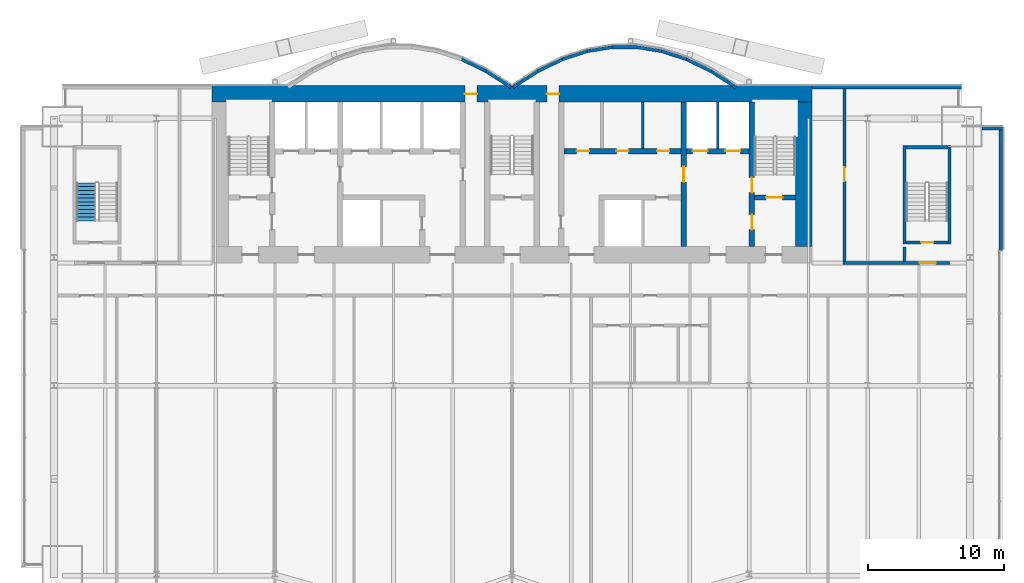
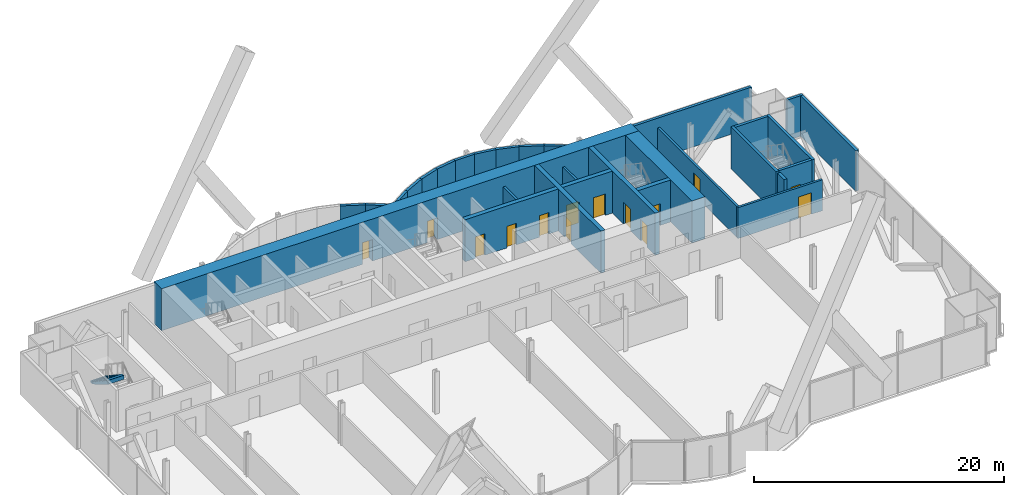
# One storey, part 18 of 22: 29 walls, 14 doors, 1 stair flight, 14 openings, 1 element without a shape of its own.
"""IFC4 building model written with IfcOpenShell, lengths in metres."""

from ifc_helpers import new_model, si_unit, direction, frame, frame_2d, origin, place, context, subcontext, project, spatial, polyline, rectangle, outline, extrude, material, layer, layer_set, layer_usage, type_object, element, fill, aggregate, save


model = new_model("IFC4")

# Units and contexts
model_context = context("Model", 3, precision=1e-05, world=origin(), true_north=direction((0.0, 1.0)))
body_context = subcontext(model_context, "Body", "Model", "MODEL_VIEW")
ifc_project = project(units=[si_unit("LENGTHUNIT", "METRE"), si_unit("AREAUNIT", "SQUARE_METRE"), si_unit("VOLUMEUNIT", "CUBIC_METRE"), si_unit("PLANEANGLEUNIT", "RADIAN"), si_unit("MASSUNIT", "GRAM", prefix="KILO")], contexts=[model_context])

# Site, building, storey
site_placement = place(None, origin())
site = spatial("IfcSite", under=ifc_project, at=site_placement, CompositionType="ELEMENT")
building_placement = place(site_placement, origin())
building = spatial("IfcBuilding", under=site, at=building_placement, Name="Bicima Exchange Tower", CompositionType="ELEMENT")
storey_placement = place(building_placement, frame((0.0, 0.0, 102.199951171875)))
storey = spatial("IfcBuildingStorey", under=building, at=storey_placement, Name="L21", CompositionType="ELEMENT", Elevation=102.199951171875)

# Wall
ifc_material_1 = material(Name="Gypsum board partition")
ifc_layer_1 = layer(ifc_material_1, 0.199951171875)
ifc_layer_set_1 = layer_set([ifc_layer_1], Name="Gypsum board partition")
wall_type_1 = type_object("IfcWallType", Name="Fire-rated gypsum partition 200 EI120", PredefinedType="PARTITIONING", material=ifc_layer_set_1)
wall_1_placement = place(storey_placement, frame((15.10009765625, -4.60009765625, 0.0), z_axis=(0.0, 0.0, 1.0), x_axis=(0.0, 1.0, 0.0)))
element("IfcWall", 1, at=wall_1_placement, inside=storey, type_object=wall_type_1, Name="partition wall 24", PredefinedType="PARTITIONING", context=body_context, shape_type="SweptSolid", body=[
    extrude(rectangle(XDim=3.400146484375, YDim=0.199951171875, at=frame_2d((1.7001953125, 0.0))), origin(), (0.0, 0.0, 1.0), 3.018310546875),
])

# Wall, opening, door
ifc_layer_2 = layer(ifc_material_1, 0.199951171875)
ifc_layer_set_2 = layer_set([ifc_layer_2], Name="Gypsum board partition")
wall_type_2 = type_object("IfcWallType", Name="Fire-rated gypsum partition 200 EI60", PredefinedType="PARTITIONING", material=ifc_layer_set_2)
wall_2_placement = place(storey_placement, frame((24.300048828125, -13.0, 0.0), z_axis=(0.0, 0.0, 1.0), x_axis=(1.0, 0.0, 0.0)))
wall_2 = element("IfcWall", 2, at=wall_2_placement, inside=storey, type_object=wall_type_2, Name="partition wall 5", PredefinedType="PARTITIONING", context=body_context, shape_type="SweptSolid", body=[
    extrude(rectangle(XDim=7.800048828125, YDim=0.199951171875, at=frame_2d((3.89990234375, 0.0))), origin(), (0.0, 0.0, 1.0), 3.018310546875),
])
opening_1_placement = place(wall_2_placement, frame((5.60009765625, 0.0, 0.0)))
opening_1 = element("IfcOpeningElement", 3, at=opening_1_placement, cuts=wall_2, Name="Opening L21-003", PredefinedType="OPENING", context=body_context, shape_type="SweptSolid", body=[
    extrude(rectangle(XDim=1.199951171875, YDim=2.10009765625, at=frame_2d((0.60009765625, 1.050048828125))), frame((0.0, 0.11181640625, 0.0), z_axis=(0.0, -1.0, 0.0), x_axis=(1.0, 0.0, 0.0)), (0.0, 0.0, 1.0), 0.223876953125),
])
ifc_material_2 = material(Name="Steel fire door leaf", Category="steel")
door_type_1 = type_object("IfcDoorType", Name="Door 1200 swing FD30S", OperationType="SINGLE_SWING_LEFT", PredefinedType="DOOR", material=ifc_material_2)
door_1_placement = place(opening_1_placement, origin())
door_1 = element("IfcDoor", 4, at=door_1_placement, inside=storey, type_object=door_type_1, Name="Door", OperationType="SINGLE_SWING_RIGHT", OverallHeight=2.10009765625, OverallWidth=1.199951171875, PredefinedType="DOOR", context=body_context, shape_type="SweptSolid", body=[
    extrude(rectangle(XDim=1.199951171875, YDim=2.10009765625, at=frame_2d((0.60009765625, 1.050048828125))), frame((0.0, 0.02490234375, 0.0), z_axis=(0.0, -1.0, 0.0), x_axis=(1.0, 0.0, 0.0)), (0.0, 0.0, 1.0), 0.050048828125),
])
fill(opening_1, door_1)

wall_3_placement = place(storey_placement, frame((24.39990234375, -12.89990234375, 0.0), z_axis=(0.0, 0.0, 1.0), x_axis=(0.0, 1.0, 0.0)))
wall_3 = element("IfcWall", 5, at=wall_3_placement, inside=storey, type_object=wall_type_2, Name="partition wall 27", PredefinedType="PARTITIONING", context=body_context, shape_type="SweptSolid", body=[
    extrude(rectangle(XDim=12.68994140625, YDim=0.199951171875, at=frame_2d((6.344970703125, 0.0))), origin(), (0.0, 0.0, 1.0), 3.018310546875),
])
opening_2_placement = place(wall_3_placement, frame((5.89990234375, 0.0, 0.0)))
opening_2 = element("IfcOpeningElement", 6, at=opening_2_placement, cuts=wall_3, Name="Opening L21-006", PredefinedType="OPENING", context=body_context, shape_type="SweptSolid", body=[
    extrude(rectangle(XDim=1.0, YDim=2.10009765625, at=frame_2d((0.5, 1.050048828125))), frame((0.0, 0.11181640625, 0.0), z_axis=(0.0, -1.0, 0.0), x_axis=(1.0, 0.0, 0.0)), (0.0, 0.0, 1.0), 0.223876953125),
])
door_type_2 = type_object("IfcDoorType", Name="Door 1000 swing FD30S", OperationType="SINGLE_SWING_LEFT", PredefinedType="DOOR", material=ifc_material_2)
door_2_placement = place(opening_2_placement, frame((1.0, 0.0, 0.0), z_axis=(0.0, 0.0, 1.0), x_axis=(-1.0, 0.0, 0.0)))
door_2 = element("IfcDoor", 7, at=door_2_placement, inside=storey, type_object=door_type_2, Name="Door", OperationType="SINGLE_SWING_RIGHT", OverallHeight=2.10009765625, OverallWidth=1.0, PredefinedType="DOOR", context=body_context, shape_type="SweptSolid", body=[
    extrude(rectangle(XDim=1.0, YDim=2.10009765625, at=frame_2d((0.5, 1.050048828125))), frame((0.0, 0.02490234375, 0.0), z_axis=(0.0, -1.0, 0.0), x_axis=(1.0, 0.0, 0.0)), (0.0, 0.0, 1.0), 0.050048828125),
])
fill(opening_2, door_2)

# Wall
wall_4_placement = place(storey_placement, frame((9.60009765625, -4.60009765625, 0.0), z_axis=(0.0, 0.0, 1.0), x_axis=(0.0, 1.0, 0.0)))
element("IfcWall", 8, at=wall_4_placement, inside=storey, type_object=wall_type_2, Name="partition wall 22", PredefinedType="PARTITIONING", context=body_context, shape_type="SweptSolid", body=[
    extrude(rectangle(XDim=3.400146484375, YDim=0.199951171875, at=frame_2d((1.7001953125, 0.0))), origin(), (0.0, 0.0, 1.0), 3.018310546875),
])

# Wall, openings, doors
ifc_material_3 = material(Name="Concrete C60/75", Category="concrete")
ifc_layer_3 = layer(ifc_material_3, 1.199951171875)
ifc_layer_set_3 = layer_set([ifc_layer_3], Name="Concrete C60/75")
wall_type_3 = type_object("IfcWallType", Name="RC core wall 1200 C60/75", PredefinedType="SHEAR", material=ifc_layer_set_3)
wall_5_placement = place(storey_placement, frame((-22.0, -0.60009765625, 0.0), z_axis=(0.0, 0.0, 1.0), x_axis=(1.0, 0.0, 0.0)))
wall_5 = element("IfcWall", 9, at=wall_5_placement, inside=storey, type_object=wall_type_3, Name="Core wall north", PredefinedType="SHEAR", context=body_context, shape_type="SweptSolid", body=[
    extrude(rectangle(XDim=44.0, YDim=1.199951171875, at=frame_2d((22.0, 0.0))), origin(), (0.0, 0.0, 1.0), 4.10009765625),
])
opening_3_placement = place(wall_5_placement, frame((18.550048828125, 0.0, 0.0)))
opening_3 = element("IfcOpeningElement", 10, at=opening_3_placement, cuts=wall_5, Name="Opening L21-C17", PredefinedType="OPENING", context=body_context, shape_type="SweptSolid", body=[
    extrude(rectangle(XDim=0.89990234375, YDim=2.10009765625, at=frame_2d((0.449951171875, 1.050048828125))), frame((0.0, 0.61181640625, 0.0), z_axis=(0.0, -1.0, 0.0), x_axis=(1.0, 0.0, 0.0)), (0.0, 0.0, 1.0), 1.223876953125),
])
opening_4_placement = place(wall_5_placement, frame((24.550048828125, 0.0, 0.0)))
opening_4 = element("IfcOpeningElement", 11, at=opening_4_placement, cuts=wall_5, Name="Opening L21-C18", PredefinedType="OPENING", context=body_context, shape_type="SweptSolid", body=[
    extrude(rectangle(XDim=0.89990234375, YDim=2.10009765625, at=frame_2d((0.449951171875, 1.050048828125))), frame((0.0, 0.61181640625, 0.0), z_axis=(0.0, -1.0, 0.0), x_axis=(1.0, 0.0, 0.0)), (0.0, 0.0, 1.0), 1.223876953125),
])
door_type_3 = type_object("IfcDoorType", Name="Door 900 swing FD30S", OperationType="SINGLE_SWING_LEFT", PredefinedType="DOOR", material=ifc_material_2)
door_3_placement = place(opening_3_placement, origin())
door_3 = element("IfcDoor", 12, at=door_3_placement, inside=storey, type_object=door_type_3, Name="Core door", OperationType="SINGLE_SWING_LEFT", OverallHeight=2.10009765625, OverallWidth=0.89990234375, PredefinedType="DOOR", context=body_context, shape_type="SweptSolid", body=[
    extrude(rectangle(XDim=0.89990234375, YDim=2.10009765625, at=frame_2d((0.449951171875, 1.050048828125))), frame((0.0, 0.02490234375, 0.0), z_axis=(0.0, -1.0, 0.0), x_axis=(1.0, 0.0, 0.0)), (0.0, 0.0, 1.0), 0.050048828125),
])
fill(opening_3, door_3)
door_4_placement = place(opening_4_placement, origin())
door_4 = element("IfcDoor", 13, at=door_4_placement, inside=storey, type_object=door_type_3, Name="Core door", OperationType="SINGLE_SWING_LEFT", OverallHeight=2.10009765625, OverallWidth=0.89990234375, PredefinedType="DOOR", context=body_context, shape_type="SweptSolid", body=[
    extrude(rectangle(XDim=0.89990234375, YDim=2.10009765625, at=frame_2d((0.449951171875, 1.050048828125))), frame((0.0, 0.02490234375, 0.0), z_axis=(0.0, -1.0, 0.0), x_axis=(1.0, 0.0, 0.0)), (0.0, 0.0, 1.0), 0.050048828125),
])
fill(opening_4, door_4)

# Walls
wall_6_placement = place(storey_placement, frame((21.39990234375, -11.800048828125, 0.0), z_axis=(0.0, 0.0, 1.0), x_axis=(0.0, 1.0, 0.0)))
element("IfcWall", 14, at=wall_6_placement, inside=storey, type_object=wall_type_3, Name="Core wall east", PredefinedType="SHEAR", context=body_context, shape_type="SweptSolid", body=[
    extrude(rectangle(XDim=10.60009765625, YDim=1.199951171875, at=frame_2d((5.300048828125, 0.0))), origin(), (0.0, 0.0, 1.0), 4.10009765625),
])
ifc_material_4 = material(Name="Concrete C50/60", Category="concrete")
ifc_layer_4 = layer(ifc_material_4, 0.25)
ifc_layer_set_4 = layer_set([ifc_layer_4], Name="Concrete C50/60")
wall_type_4 = type_object("IfcWallType", Name="RC core wall 250 C50/60", PredefinedType="SHEAR", material=ifc_layer_set_4)
wall_7_placement = place(storey_placement, frame((28.800048828125, -12.89990234375, 0.0), z_axis=(0.0, 0.0, 1.0), x_axis=(0.0, 1.0, 0.0)))
element("IfcWall", 15, at=wall_7_placement, inside=storey, type_object=wall_type_4, Name="stair wall 28", PredefinedType="SHEAR", context=body_context, shape_type="SweptSolid", body=[
    extrude(rectangle(XDim=1.0498046875, YDim=0.25, at=frame_2d((0.52490234375, 0.0))), origin(), (0.0, 0.0, 1.0), 4.10009765625),
])

# Wall, opening, door
ifc_layer_5 = layer(ifc_material_4, 0.39990234375)
ifc_layer_set_5 = layer_set([ifc_layer_5], Name="Concrete C50/60")
wall_type_5 = type_object("IfcWallType", Name="RC core wall 400 C50/60", PredefinedType="SHEAR", material=ifc_layer_set_5)
wall_8_placement = place(storey_placement, frame((17.800048828125, -8.199951171875, 0.0), z_axis=(0.0, 0.0, 1.0), x_axis=(1.0, 0.0, 0.0)))
wall_8 = element("IfcWall", 16, at=wall_8_placement, inside=storey, type_object=wall_type_5, Name="stair wall 5", PredefinedType="SHEAR", context=body_context, shape_type="SweptSolid", body=[
    extrude(rectangle(XDim=3.0, YDim=0.39990234375, at=frame_2d((1.5, 0.0))), origin(), (0.0, 0.0, 1.0), 4.10009765625),
])
opening_5_placement = place(wall_8_placement, frame((0.85009765625, 0.0, 0.0)))
opening_5 = element("IfcOpeningElement", 17, at=opening_5_placement, cuts=wall_8, Name="Opening L21-C04", PredefinedType="OPENING", context=body_context, shape_type="SweptSolid", body=[
    extrude(rectangle(XDim=1.199951171875, YDim=2.10009765625, at=frame_2d((0.60009765625, 1.050048828125))), frame((0.0, 0.2119140625, 0.0), z_axis=(0.0, -1.0, 0.0), x_axis=(1.0, 0.0, 0.0)), (0.0, 0.0, 1.0), 0.423828125),
])
door_type_4 = type_object("IfcDoorType", Name="Door 1200 swing FD60S", OperationType="SINGLE_SWING_LEFT", PredefinedType="DOOR", material=ifc_material_2)
door_5_placement = place(opening_5_placement, origin())
door_5 = element("IfcDoor", 18, at=door_5_placement, inside=storey, type_object=door_type_4, Name="Core door", OperationType="SINGLE_SWING_RIGHT", OverallHeight=2.10009765625, OverallWidth=1.199951171875, PredefinedType="DOOR", context=body_context, shape_type="SweptSolid", body=[
    extrude(rectangle(XDim=1.199951171875, YDim=2.10009765625, at=frame_2d((0.60009765625, 1.050048828125))), frame((0.0, 0.02490234375, 0.0), z_axis=(0.0, -1.0, 0.0), x_axis=(1.0, 0.0, 0.0)), (0.0, 0.0, 1.0), 0.050048828125),
])
fill(opening_5, door_5)

# Wall, openings, doors
wall_9_placement = place(storey_placement, frame((17.60009765625, -11.800048828125, 0.0), z_axis=(0.0, 0.0, 1.0), x_axis=(0.0, 1.0, 0.0)))
wall_9 = element("IfcWall", 19, at=wall_9_placement, inside=storey, type_object=wall_type_5, Name="stair wall 25", PredefinedType="SHEAR", context=body_context, shape_type="SweptSolid", body=[
    extrude(rectangle(XDim=10.60009765625, YDim=0.39990234375, at=frame_2d((5.300048828125, 0.0))), origin(), (0.0, 0.0, 1.0), 4.10009765625),
])
opening_6_placement = place(wall_9_placement, frame((1.25, 0.0, 0.0)))
opening_6 = element("IfcOpeningElement", 20, at=opening_6_placement, cuts=wall_9, Name="Opening L21-C05", PredefinedType="OPENING", context=body_context, shape_type="SweptSolid", body=[
    extrude(rectangle(XDim=1.10009765625, YDim=2.10009765625, at=frame_2d((0.550048828125, 1.050048828125))), frame((0.0, 0.2119140625, 0.0), z_axis=(0.0, -1.0, 0.0), x_axis=(1.0, 0.0, 0.0)), (0.0, 0.0, 1.0), 0.423828125),
])
opening_7_placement = place(wall_9_placement, frame((3.949951171875, 0.0, 0.0)))
opening_7 = element("IfcOpeningElement", 21, at=opening_7_placement, cuts=wall_9, Name="Opening L21-C08", PredefinedType="OPENING", context=body_context, shape_type="SweptSolid", body=[
    extrude(rectangle(XDim=1.10009765625, YDim=2.10009765625, at=frame_2d((0.550048828125, 1.050048828125))), frame((0.0, 0.2119140625, 0.0), z_axis=(0.0, -1.0, 0.0), x_axis=(1.0, 0.0, 0.0)), (0.0, 0.0, 1.0), 0.423828125),
])
door_type_5 = type_object("IfcDoorType", Name="Door 1100 swing FD60S", OperationType="SINGLE_SWING_LEFT", PredefinedType="DOOR", material=ifc_material_2)
door_6_placement = place(opening_6_placement, origin())
door_6 = element("IfcDoor", 22, at=door_6_placement, inside=storey, type_object=door_type_5, Name="Core door", OperationType="SINGLE_SWING_LEFT", OverallHeight=2.10009765625, OverallWidth=1.10009765625, PredefinedType="DOOR", context=body_context, shape_type="SweptSolid", body=[
    extrude(rectangle(XDim=1.10009765625, YDim=2.10009765625, at=frame_2d((0.550048828125, 1.050048828125))), frame((0.0, 0.02490234375, 0.0), z_axis=(0.0, -1.0, 0.0), x_axis=(1.0, 0.0, 0.0)), (0.0, 0.0, 1.0), 0.050048828125),
])
fill(opening_6, door_6)
door_7_placement = place(opening_7_placement, origin())
door_7 = element("IfcDoor", 23, at=door_7_placement, inside=storey, type_object=door_type_5, Name="Core door", OperationType="SINGLE_SWING_RIGHT", OverallHeight=2.10009765625, OverallWidth=1.10009765625, PredefinedType="DOOR", context=body_context, shape_type="SweptSolid", body=[
    extrude(rectangle(XDim=1.10009765625, YDim=2.10009765625, at=frame_2d((0.550048828125, 1.050048828125))), frame((0.0, 0.02490234375, 0.0), z_axis=(0.0, -1.0, 0.0), x_axis=(1.0, 0.0, 0.0)), (0.0, 0.0, 1.0), 0.050048828125),
])
fill(opening_7, door_7)

ifc_layer_6 = layer(ifc_material_3, 0.39990234375)
ifc_layer_set_6 = layer_set([ifc_layer_6], Name="Concrete C60/75")
wall_type_6 = type_object("IfcWallType", Name="RC core wall 400 C60/75", PredefinedType="SHEAR", material=ifc_layer_set_6)
wall_10_placement = place(storey_placement, frame((3.800048828125, -4.800048828125, 0.0), z_axis=(0.0, 0.0, 1.0), x_axis=(1.0, 0.0, 0.0)))
wall_10 = element("IfcWall", 24, at=wall_10_placement, inside=storey, type_object=wall_type_6, Name="shear wall 7", PredefinedType="SHEAR", context=body_context, shape_type="SweptSolid", body=[
    extrude(rectangle(XDim=13.599853515625, YDim=0.39990234375, at=frame_2d((6.7998046875, 0.0))), origin(), (0.0, 0.0, 1.0), 4.10009765625),
])
opening_8_placement = place(wall_10_placement, frame((9.449951171875, 0.0, 0.0)))
opening_8 = element("IfcOpeningElement", 25, at=opening_8_placement, cuts=wall_10, Name="Opening LD-FF2-L21", PredefinedType="OPENING", context=body_context, shape_type="SweptSolid", body=[
    extrude(rectangle(XDim=1.10009765625, YDim=2.10009765625, at=frame_2d((0.550048828125, 1.050048828125))), frame((0.0, 0.2119140625, 0.0), z_axis=(0.0, -1.0, 0.0), x_axis=(1.0, 0.0, 0.0)), (0.0, 0.0, 1.0), 0.423828125),
])
opening_9_placement = place(wall_10_placement, frame((11.85009765625, 0.0, 0.0)))
opening_9 = element("IfcOpeningElement", 26, at=opening_9_placement, cuts=wall_10, Name="Opening LD-SV1-L21", PredefinedType="OPENING", context=body_context, shape_type="SweptSolid", body=[
    extrude(rectangle(XDim=1.10009765625, YDim=2.10009765625, at=frame_2d((0.550048828125, 1.050048828125))), frame((0.0, 0.2119140625, 0.0), z_axis=(0.0, -1.0, 0.0), x_axis=(1.0, 0.0, 0.0)), (0.0, 0.0, 1.0), 0.423828125),
])
opening_10_placement = place(wall_10_placement, frame((0.949951171875, 0.0, 0.0)))
opening_10 = element("IfcOpeningElement", 27, at=opening_10_placement, cuts=wall_10, Name="Opening L21-C12", PredefinedType="OPENING", context=body_context, shape_type="SweptSolid", body=[
    extrude(rectangle(XDim=0.89990234375, YDim=2.10009765625, at=frame_2d((0.449951171875, 1.050048828125))), frame((0.0, 0.2119140625, 0.0), z_axis=(0.0, -1.0, 0.0), x_axis=(1.0, 0.0, 0.0)), (0.0, 0.0, 1.0), 0.423828125),
])
opening_11_placement = place(wall_10_placement, frame((3.85009765625, 0.0, 0.0)))
opening_11 = element("IfcOpeningElement", 28, at=opening_11_placement, cuts=wall_10, Name="Opening L21-C13", PredefinedType="OPENING", context=body_context, shape_type="SweptSolid", body=[
    extrude(rectangle(XDim=0.89990234375, YDim=2.10009765625, at=frame_2d((0.449951171875, 1.050048828125))), frame((0.0, 0.2119140625, 0.0), z_axis=(0.0, -1.0, 0.0), x_axis=(1.0, 0.0, 0.0)), (0.0, 0.0, 1.0), 0.423828125),
])
opening_12_placement = place(wall_10_placement, frame((6.85009765625, 0.0, 0.0)))
opening_12 = element("IfcOpeningElement", 29, at=opening_12_placement, cuts=wall_10, Name="Opening L21-C14", PredefinedType="OPENING", context=body_context, shape_type="SweptSolid", body=[
    extrude(rectangle(XDim=0.89990234375, YDim=2.10009765625, at=frame_2d((0.449951171875, 1.050048828125))), frame((0.0, 0.2119140625, 0.0), z_axis=(0.0, -1.0, 0.0), x_axis=(1.0, 0.0, 0.0)), (0.0, 0.0, 1.0), 0.423828125),
])
door_8_placement = place(opening_10_placement, origin())
door_8 = element("IfcDoor", 30, at=door_8_placement, inside=storey, type_object=door_type_3, Name="Core door", OperationType="SINGLE_SWING_RIGHT", OverallHeight=2.10009765625, OverallWidth=0.89990234375, PredefinedType="DOOR", context=body_context, shape_type="SweptSolid", body=[
    extrude(rectangle(XDim=0.89990234375, YDim=2.10009765625, at=frame_2d((0.449951171875, 1.050048828125))), frame((0.0, 0.02490234375, 0.0), z_axis=(0.0, -1.0, 0.0), x_axis=(1.0, 0.0, 0.0)), (0.0, 0.0, 1.0), 0.050048828125),
])
fill(opening_10, door_8)
door_9_placement = place(opening_11_placement, origin())
door_9 = element("IfcDoor", 31, at=door_9_placement, inside=storey, type_object=door_type_3, Name="Core door", OperationType="SINGLE_SWING_LEFT", OverallHeight=2.10009765625, OverallWidth=0.89990234375, PredefinedType="DOOR", context=body_context, shape_type="SweptSolid", body=[
    extrude(rectangle(XDim=0.89990234375, YDim=2.10009765625, at=frame_2d((0.449951171875, 1.050048828125))), frame((0.0, 0.02490234375, 0.0), z_axis=(0.0, -1.0, 0.0), x_axis=(1.0, 0.0, 0.0)), (0.0, 0.0, 1.0), 0.050048828125),
])
fill(opening_11, door_9)
door_10_placement = place(opening_12_placement, origin())
door_10 = element("IfcDoor", 32, at=door_10_placement, inside=storey, type_object=door_type_3, Name="Core door", OperationType="SINGLE_SWING_RIGHT", OverallHeight=2.10009765625, OverallWidth=0.89990234375, PredefinedType="DOOR", context=body_context, shape_type="SweptSolid", body=[
    extrude(rectangle(XDim=0.89990234375, YDim=2.10009765625, at=frame_2d((0.449951171875, 1.050048828125))), frame((0.0, 0.02490234375, 0.0), z_axis=(0.0, -1.0, 0.0), x_axis=(1.0, 0.0, 0.0)), (0.0, 0.0, 1.0), 0.050048828125),
])
fill(opening_12, door_10)
ifc_material_5 = material(Name="Stainless steel", Category="steel")
door_type_6 = type_object("IfcDoorType", Name="Lift landing door 1100 sliding", OperationType="DOUBLE_DOOR_SLIDING", PredefinedType="DOOR", material=ifc_material_5)
door_11_placement = place(opening_8_placement, origin())
door_11 = element("IfcDoor", 33, at=door_11_placement, inside=storey, type_object=door_type_6, Name="Lift landing door FF2", OperationType="DOUBLE_DOOR_SLIDING", OverallHeight=2.10009765625, OverallWidth=1.10009765625, PredefinedType="DOOR", context=body_context, shape_type="SweptSolid", body=[
    extrude(rectangle(XDim=1.10009765625, YDim=2.10009765625, at=frame_2d((0.550048828125, 1.050048828125))), frame((0.0, 0.02490234375, 0.0), z_axis=(0.0, -1.0, 0.0), x_axis=(1.0, 0.0, 0.0)), (0.0, 0.0, 1.0), 0.050048828125),
])
fill(opening_8, door_11)
door_12_placement = place(opening_9_placement, origin())
door_12 = element("IfcDoor", 34, at=door_12_placement, inside=storey, type_object=door_type_6, Name="Lift landing door SV1", OperationType="DOUBLE_DOOR_SLIDING", OverallHeight=2.10009765625, OverallWidth=1.10009765625, PredefinedType="DOOR", context=body_context, shape_type="SweptSolid", body=[
    extrude(rectangle(XDim=1.10009765625, YDim=2.10009765625, at=frame_2d((0.550048828125, 1.050048828125))), frame((0.0, 0.02490234375, 0.0), z_axis=(0.0, -1.0, 0.0), x_axis=(1.0, 0.0, 0.0)), (0.0, 0.0, 1.0), 0.050048828125),
])
fill(opening_9, door_12)

# Wall, opening, door
wall_11_placement = place(storey_placement, frame((12.60009765625, -11.800048828125, 0.0), z_axis=(0.0, 0.0, 1.0), x_axis=(0.0, 1.0, 0.0)))
wall_11 = element("IfcWall", 35, at=wall_11_placement, inside=storey, type_object=wall_type_6, Name="shear wall 23", PredefinedType="SHEAR", context=body_context, shape_type="SweptSolid", body=[
    extrude(rectangle(XDim=10.60009765625, YDim=0.39990234375, at=frame_2d((5.300048828125, 0.0))), origin(), (0.0, 0.0, 1.0), 4.10009765625),
])
opening_13_placement = place(wall_11_placement, frame((4.75, 0.0, 0.0)))
opening_13 = element("IfcOpeningElement", 36, at=opening_13_placement, cuts=wall_11, Name="Opening L21-C09", PredefinedType="OPENING", context=body_context, shape_type="SweptSolid", body=[
    extrude(rectangle(XDim=1.10009765625, YDim=2.10009765625, at=frame_2d((0.550048828125, 1.050048828125))), frame((0.0, 0.2119140625, 0.0), z_axis=(0.0, -1.0, 0.0), x_axis=(1.0, 0.0, 0.0)), (0.0, 0.0, 1.0), 0.423828125),
])
door_13_placement = place(opening_13_placement, frame((1.10009765625, 0.0, 0.0), z_axis=(0.0, 0.0, 1.0), x_axis=(-1.0, 0.0, 0.0)))
door_13 = element("IfcDoor", 37, at=door_13_placement, inside=storey, type_object=door_type_5, Name="Core door", OperationType="SINGLE_SWING_RIGHT", OverallHeight=2.10009765625, OverallWidth=1.10009765625, PredefinedType="DOOR", context=body_context, shape_type="SweptSolid", body=[
    extrude(rectangle(XDim=1.10009765625, YDim=2.10009765625, at=frame_2d((0.550048828125, 1.050048828125))), frame((0.0, 0.02490234375, 0.0), z_axis=(0.0, -1.0, 0.0), x_axis=(1.0, 0.0, 0.0)), (0.0, 0.0, 1.0), 0.050048828125),
])
fill(opening_13, door_13)

# Walls
ifc_layer_7 = layer(ifc_material_4, 0.25)
ifc_layer_set_7 = layer_set([ifc_layer_7], Name="Concrete C50/60")
wall_type_7 = type_object("IfcWallType", Name="RC stair enclosure wall 250 C50/60", PredefinedType="SHEAR", material=ifc_layer_set_7)
for number, where, z_axis, x_axis, name in (
    (38, (28.800048828125, -11.625, 0.0), (0.0, 0.0, 1.0), (0.0, 1.0, 0.0), "East end exit stair wall W"),
    (39, (32.10009765625, -11.625, 0.0), (0.0, 0.0, 1.0), (0.0, 1.0, 0.0), "East end exit stair wall E"),
):
    element("IfcWall", number, at=place(storey_placement, frame(where, z_axis=z_axis, x_axis=x_axis)), inside=storey, type_object=wall_type_7, Name=name, PredefinedType="SHEAR", context=body_context, shape_type="SweptSolid", body=[
        extrude(rectangle(XDim=7.25, YDim=0.25, at=frame_2d((3.625, 0.0))), origin(), (0.0, 0.0, 1.0), 4.10009765625),
    ])

# Wall, opening, door
wall_12_placement = place(storey_placement, frame((28.925048828125, -11.5, 0.0), z_axis=(0.0, 0.0, 1.0), x_axis=(1.0, 0.0, 0.0)))
wall_12 = element("IfcWall", 40, at=wall_12_placement, inside=storey, type_object=wall_type_7, Name="East end exit stair wall S", PredefinedType="SHEAR", context=body_context, shape_type="SweptSolid", body=[
    extrude(rectangle(XDim=3.050048828125, YDim=0.25, at=frame_2d((1.52490234375, 0.0))), origin(), (0.0, 0.0, 1.0), 4.10009765625),
])
opening_14_placement = place(wall_12_placement, frame((1.10009765625, 0.0, 0.0)))
opening_14 = element("IfcOpeningElement", 41, at=opening_14_placement, cuts=wall_12, Name="Opening L21-004", PredefinedType="OPENING", context=body_context, shape_type="SweptSolid", body=[
    extrude(rectangle(XDim=0.89990234375, YDim=2.10009765625, at=frame_2d((0.449951171875, 1.050048828125))), frame((0.0, 0.136962890625, 0.0), z_axis=(0.0, -1.0, 0.0), x_axis=(1.0, 0.0, 0.0)), (0.0, 0.0, 1.0), 0.27392578125),
])
door_type_7 = type_object("IfcDoorType", Name="Door 900 swing FD60S", OperationType="SINGLE_SWING_LEFT", PredefinedType="DOOR", material=ifc_material_2)
door_14_placement = place(opening_14_placement, origin())
door_14 = element("IfcDoor", 42, at=door_14_placement, inside=storey, type_object=door_type_7, Name="Door", OperationType="SINGLE_SWING_LEFT", OverallHeight=2.10009765625, OverallWidth=0.89990234375, PredefinedType="DOOR", context=body_context, shape_type="SweptSolid", body=[
    extrude(rectangle(XDim=0.89990234375, YDim=2.10009765625, at=frame_2d((0.449951171875, 1.050048828125))), frame((0.0, 0.02490234375, 0.0), z_axis=(0.0, -1.0, 0.0), x_axis=(1.0, 0.0, 0.0)), (0.0, 0.0, 1.0), 0.050048828125),
])
fill(opening_14, door_14)

# Walls
wall_13_placement = place(storey_placement, frame((28.925048828125, -4.5, 0.0), z_axis=(0.0, 0.0, 1.0), x_axis=(1.0, 0.0, 0.0)))
element("IfcWall", 43, at=wall_13_placement, inside=storey, type_object=wall_type_7, Name="East end exit stair wall N", PredefinedType="SHEAR", context=body_context, shape_type="SweptSolid", body=[
    extrude(rectangle(XDim=3.050048828125, YDim=0.25, at=frame_2d((1.52490234375, 0.0))), origin(), (0.0, 0.0, 1.0), 4.10009765625),
])
ifc_material_6 = material(Name="Concrete C40/50", Category="concrete")
ifc_layer_8 = layer(ifc_material_6, 0.25)
ifc_layer_set_8 = layer_set([ifc_layer_8], Name="Concrete C40/50")
ifc_layer_usage = layer_usage(ifc_layer_set_8, "AXIS2", "POSITIVE", -0.125)
wall_type_8 = type_object("IfcWallType", Name="Rear backup wall 250", PredefinedType="STANDARD", material=ifc_layer_set_8)
wall_14_placement = place(storey_placement, frame((33.0, -0.125, 0.0), z_axis=(0.0, 0.0, 1.0), x_axis=(-1.0, 0.0, 0.0)))
element("IfcWall", 44, at=wall_14_placement, inside=storey, type_object=wall_type_8, material=ifc_layer_usage, Name="Rear backup wall L21 1", PredefinedType="STANDARD", context=body_context, shape_type="SweptSolid", body=[
    extrude(rectangle(XDim=11.0, YDim=0.25, at=frame_2d((5.5, 0.0))), origin(), (0.0, 0.0, 1.0), 3.949951171875),
])
wall_15_placement = place(storey_placement, frame((16.43212890625, -0.10498046875, 0.0), z_axis=(0.0, 0.0, 1.0), x_axis=(-0.83981312244, 0.542875602121, 0.0)))
element("IfcWall", 45, at=wall_15_placement, inside=storey, type_object=wall_type_8, material=ifc_layer_usage, Name="Rear backup wall L21 2", PredefinedType="STANDARD", context=body_context, shape_type="SweptSolid", body=[
    extrude(rectangle(XDim=2.182861328125, YDim=0.25, at=frame_2d((1.09130859375, 0.0))), origin(), (0.0, 0.0, 1.0), 3.949951171875),
])
wall_16_placement = place(storey_placement, frame((14.6123046875, 1.07275390625, 0.0), z_axis=(0.0, 0.0, 1.0), x_axis=(-0.89982408427, 0.436252928206, 0.0)))
element("IfcWall", 46, at=wall_16_placement, inside=storey, type_object=wall_type_8, material=ifc_layer_usage, Name="Rear backup wall L21 3", PredefinedType="STANDARD", context=body_context, shape_type="SweptSolid", body=[
    extrude(rectangle(XDim=2.03759765625, YDim=0.25, at=frame_2d((1.018798828125, 0.0))), origin(), (0.0, 0.0, 1.0), 3.949951171875),
])
wall_17_placement = place(storey_placement, frame((12.794921875, 1.955078125, 0.0), z_axis=(0.0, 0.0, 1.0), x_axis=(-0.951495806175, 0.307661714928, 0.0)))
element("IfcWall", 47, at=wall_17_placement, inside=storey, type_object=wall_type_8, material=ifc_layer_usage, Name="Rear backup wall L21 4", PredefinedType="STANDARD", context=body_context, shape_type="SweptSolid", body=[
    extrude(rectangle(XDim=1.9267578125, YDim=0.25, at=frame_2d((0.96337890625, 0.0))), origin(), (0.0, 0.0, 1.0), 3.949951171875),
])
wall_18_placement = place(storey_placement, frame((10.97998046875, 2.543212890625, 0.0), z_axis=(0.0, 0.0, 1.0), x_axis=(-0.987181718931, 0.159600293885, 0.0)))
element("IfcWall", 48, at=wall_18_placement, inside=storey, type_object=wall_type_8, material=ifc_layer_usage, Name="Rear backup wall L21 5", PredefinedType="STANDARD", context=body_context, shape_type="SweptSolid", body=[
    extrude(rectangle(XDim=1.857177734375, YDim=0.25, at=frame_2d((0.9287109375, 0.0))), origin(), (0.0, 0.0, 1.0), 3.949951171875),
])
wall_19_placement = place(storey_placement, frame((9.166748046875, 2.837890625, 0.0), z_axis=(0.0, 0.0, 1.0), x_axis=(-1.0, 0.0, 0.0)))
element("IfcWall", 49, at=wall_19_placement, inside=storey, type_object=wall_type_8, material=ifc_layer_usage, Name="Rear backup wall L21 6", PredefinedType="STANDARD", context=body_context, shape_type="SweptSolid", body=[
    extrude(rectangle(XDim=1.83349609375, YDim=0.25, at=frame_2d((0.916748046875, 0.0))), origin(), (0.0, 0.0, 1.0), 3.949951171875),
])
wall_20_placement = place(storey_placement, frame((7.353271484375, 2.839599609375, 0.0), z_axis=(0.0, 0.0, 1.0), x_axis=(-0.987181718931, -0.159600293885, 0.0)))
element("IfcWall", 50, at=wall_20_placement, inside=storey, type_object=wall_type_8, material=ifc_layer_usage, Name="Rear backup wall L21 7", PredefinedType="STANDARD", context=body_context, shape_type="SweptSolid", body=[
    extrude(rectangle(XDim=1.857177734375, YDim=0.25, at=frame_2d((0.9287109375, 0.0))), origin(), (0.0, 0.0, 1.0), 3.949951171875),
])
wall_21_placement = place(storey_placement, frame((5.538330078125, 2.5478515625, 0.0), z_axis=(0.0, 0.0, 1.0), x_axis=(-0.951495806175, -0.307661714928, 0.0)))
element("IfcWall", 51, at=wall_21_placement, inside=storey, type_object=wall_type_8, material=ifc_layer_usage, Name="Rear backup wall L21 8", PredefinedType="STANDARD", context=body_context, shape_type="SweptSolid", body=[
    extrude(rectangle(XDim=1.9267578125, YDim=0.25, at=frame_2d((0.96337890625, 0.0))), origin(), (0.0, 0.0, 1.0), 3.949951171875),
])
wall_22_placement = place(storey_placement, frame((3.72119140625, 1.961669921875, 0.0), z_axis=(0.0, 0.0, 1.0), x_axis=(-0.89982408427, -0.436252928206, 0.0)))
element("IfcWall", 52, at=wall_22_placement, inside=storey, type_object=wall_type_8, material=ifc_layer_usage, Name="Rear backup wall L21 9", PredefinedType="STANDARD", context=body_context, shape_type="SweptSolid", body=[
    extrude(rectangle(XDim=2.03759765625, YDim=0.25, at=frame_2d((1.018798828125, 0.0))), origin(), (0.0, 0.0, 1.0), 3.949951171875),
])
for number, where, z_axis, x_axis, name in (
    (53, (1.901123046875, 1.080078125, 0.0), (0.0, 0.0, 1.0), (-0.83981312244, -0.542875602121, 0.0), "Rear backup wall L21 10"),
    (54, (-0.06787109375, -0.10498046875, 0.0), (0.0, 0.0, 1.0), (-0.83981312244, 0.542875602121, 0.0), "Rear backup wall L21 11"),
):
    element("IfcWall", number, at=place(storey_placement, frame(where, z_axis=z_axis, x_axis=x_axis)), inside=storey, type_object=wall_type_8, material=ifc_layer_usage, Name=name, PredefinedType="STANDARD", context=body_context, shape_type="SweptSolid", body=[
        extrude(rectangle(XDim=2.182861328125, YDim=0.25, at=frame_2d((1.09130859375, 0.0))), origin(), (0.0, 0.0, 1.0), 3.949951171875),
    ])
wall_23_placement = place(storey_placement, frame((-1.8876953125, 1.07275390625, 0.0), z_axis=(0.0, 0.0, 1.0), x_axis=(-0.89982408427, 0.436252928206, 0.0)))
element("IfcWall", 55, at=wall_23_placement, inside=storey, type_object=wall_type_8, material=ifc_layer_usage, Name="Rear backup wall L21 12", PredefinedType="STANDARD", context=body_context, shape_type="SweptSolid", body=[
    extrude(rectangle(XDim=2.03759765625, YDim=0.25, at=frame_2d((1.018798828125, 0.0))), origin(), (0.0, 0.0, 1.0), 3.949951171875),
])
wall_24_placement = place(storey_placement, frame((35.875, -12.090087890625, 0.0), z_axis=(0.0, 0.0, 1.0), x_axis=(0.0, 1.0, 0.0)))
element("IfcWall", 56, at=wall_24_placement, inside=storey, type_object=wall_type_8, material=ifc_layer_usage, Name="Rear backup wall L21 50", PredefinedType="STANDARD", context=body_context, shape_type="SweptSolid", body=[
    extrude(rectangle(XDim=9.090087890625, YDim=0.25, at=frame_2d((4.544921875, 0.0))), origin(), (0.0, 0.0, 1.0), 3.949951171875),
])
wall_25_placement = place(storey_placement, frame((36.0, -3.125, 0.0), z_axis=(0.0, 0.0, 1.0), x_axis=(-1.0, 0.0, 0.0)))
element("IfcWall", 57, at=wall_25_placement, inside=storey, type_object=wall_type_8, material=ifc_layer_usage, Name="Rear backup wall L21 51", PredefinedType="STANDARD", context=body_context, shape_type="SweptSolid", body=[
    extrude(rectangle(XDim=1.5, YDim=0.25, at=frame_2d((0.75, 0.0))), origin(), (0.0, 0.0, 1.0), 3.949951171875),
])

# Stair, stair flight
stair_type = type_object("IfcStairType", Name="Exit stair", PredefinedType="HALF_TURN_STAIR", material=ifc_material_4)
stair_placement = place(storey_placement, origin())
stair = element("IfcStair", 58, at=stair_placement, inside=storey, type_object=stair_type, Name="L21 West end exit stair", PredefinedType="HALF_TURN_STAIR")
stair_flight_type = type_object("IfcStairFlightType", Name="Stair flight RC", PredefinedType="STRAIGHT", material=ifc_material_4)
stair_flight_placement = place(storey_placement, frame((-31.25, -7.125, 2.050048828125), z_axis=(0.0, 0.0, 1.0), x_axis=(0.0, -1.0, 0.0)))
stair_flight = element("IfcStairFlight", 59, at=stair_flight_placement, type_object=stair_flight_type, Name="ST-WW flight 2", NumberOfRisers=11, NumberOfTreads=10, PredefinedType="STRAIGHT", RiserHeight=0.186363636, TreadLength=0.28, context=body_context, shape_type="SweptSolid", body=[
    extrude(outline(polyline([(0.0, 0.0), (0.0, 0.186279296875), (0.280029296875, 0.186279296875), (0.280029296875, 0.372802734375), (0.56005859375, 0.372802734375), (0.56005859375, 0.55908203125), (0.840087890625, 0.55908203125), (0.840087890625, 0.745361328125), (1.1201171875, 0.745361328125), (1.1201171875, 0.931884765625), (1.39990234375, 0.931884765625), (1.39990234375, 1.1181640625), (1.679931640625, 1.1181640625), (1.679931640625, 1.304443359375), (1.9599609375, 1.304443359375), (1.9599609375, 1.490966796875), (2.239990234375, 1.490966796875), (2.239990234375, 1.67724609375), (2.52001953125, 1.67724609375), (2.52001953125, 1.863525390625), (2.800048828125, 1.863525390625), (2.800048828125, 1.904052734375), (2.81494140625, 1.904052734375), (2.81494140625, 1.507080078125), (0.2705078125, 0.0), (0.0, 0.0)])), frame((0.0, 0.72509765625, 0.0), z_axis=(0.0, -1.0, 0.0), x_axis=(1.0, 0.0, 0.0)), (0.0, 0.0, 1.0), 1.449951171875),
])
aggregate(stair, [stair_flight])

save(model, "model.ifc")
